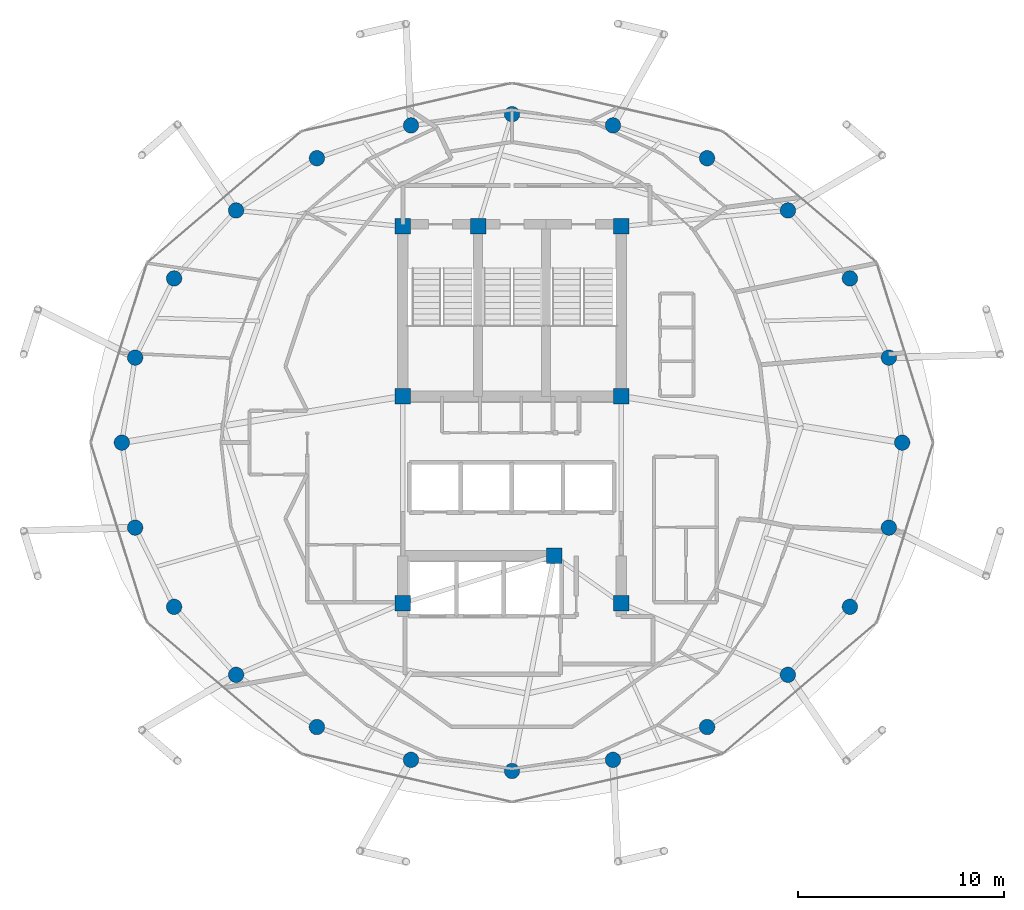
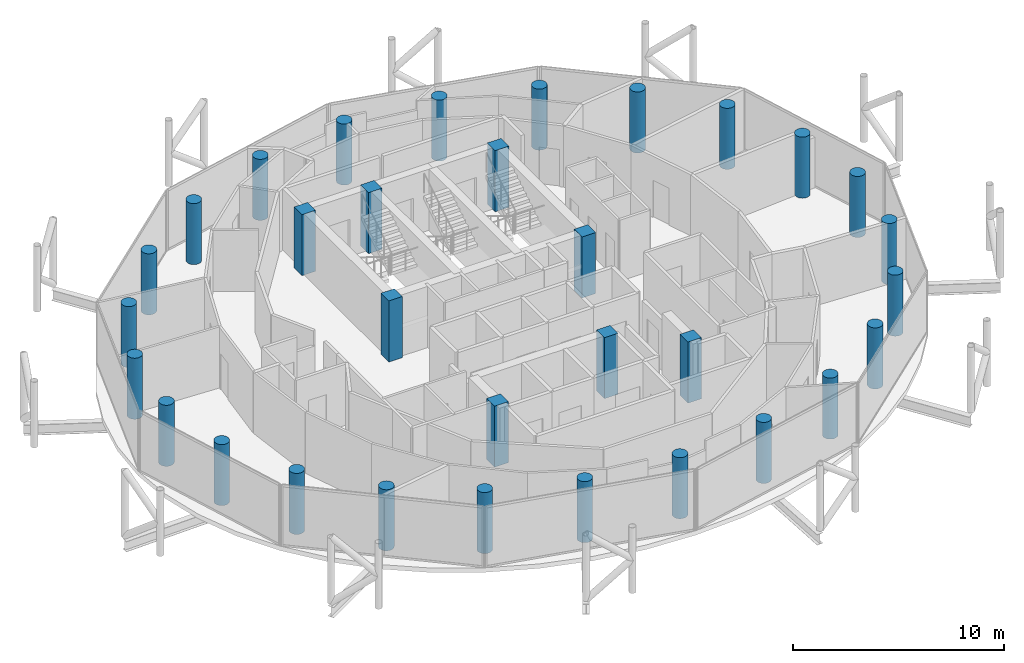
# One storey, part 1 of 24: 32 columns.
"""IFC4 building model written with IfcOpenShell, lengths in metres."""

from ifc_helpers import new_model, si_unit, direction, frame, origin, origin_2d, place, context, subcontext, project, spatial, rectangle, circle, extrude, material, material_profile, profile_set, type_object, element, save


model = new_model("IFC4")

# Units and contexts
model_context = context("Model", 3, precision=1e-05, world=origin(), true_north=direction((0.0, 1.0)))
body_context = subcontext(model_context, "Body", "Model", "MODEL_VIEW")
ifc_project = project(units=[si_unit("LENGTHUNIT", "METRE"), si_unit("AREAUNIT", "SQUARE_METRE"), si_unit("VOLUMEUNIT", "CUBIC_METRE"), si_unit("PLANEANGLEUNIT", "RADIAN"), si_unit("MASSUNIT", "GRAM", prefix="KILO")], contexts=[model_context])

# Site, building, storey
site_placement = place(None, origin())
site = spatial("IfcSite", under=ifc_project, at=site_placement, CompositionType="ELEMENT")
building_placement = place(site_placement, origin())
building = spatial("IfcBuilding", under=site, at=building_placement, Name="Nuhasar Tower", CompositionType="ELEMENT")
storey_placement = place(building_placement, frame((0.0, 0.0, 263.199951171875)))
storey = spatial("IfcBuildingStorey", under=building, at=storey_placement, Name="L65", CompositionType="ELEMENT", Elevation=263.199951171875)

# Columns
ifc_material = material(Name="Concrete C50/60", Category="concrete")
ifc_material_profile_1 = material_profile(ifc_material, circle(Radius=0.375, at=origin_2d()), Name="CFT750")
ifc_profile_set_1 = profile_set([ifc_material_profile_1], Name="Concrete C50/60")
column_type_1 = type_object("IfcColumnType", Name="COL-CFT-750", PredefinedType="COLUMN", material=ifc_profile_set_1)
for number, where, z_axis, x_axis, name in (
    (1, (57.949951171875, 26.800048828125, 0.0), (0.0, 0.0, 1.0), (1.0, 0.0, 0.0), "L65 Perimeter Composite Column TC-01"),
    (2, (57.303955078125, 30.927978515625, 0.0), (0.0, 0.0, 1.0), (1.0, 0.0, 0.0), "L65 Perimeter Composite Column TC-02"),
    (3, (55.410888671875, 34.77490234375, 0.0), (0.0, 0.0, 1.0), (1.0, 0.0, 0.0), "L65 Perimeter Composite Column TC-03"),
    (4, (52.39990234375, 38.077880859375, 0.0), (0.0, 0.0, 1.0), (1.0, 0.0, 0.0), "L65 Perimeter Composite Column TC-04"),
    (5, (48.47509765625, 40.613037109375, 0.0), (0.0, 0.0, 1.0), (1.0, 0.0, 0.0), "L65 Perimeter Composite Column TC-05"),
    (6, (43.905029296875, 42.20703125, 0.0), (0.0, 0.0, 1.0), (1.0, 0.0, 0.0), "L65 Perimeter Composite Column TC-06"),
    (7, (39.0, 42.75, 0.0), (0.0, 0.0, 1.0), (1.0, 0.0, 0.0), "L65 Perimeter Composite Column TC-07"),
    (8, (34.094970703125, 42.20703125, 0.0), (0.0, 0.0, 1.0), (1.0, 0.0, 0.0), "L65 Perimeter Composite Column TC-08"),
    (9, (29.52490234375, 40.613037109375, 0.0), (0.0, 0.0, 1.0), (1.0, 0.0, 0.0), "L65 Perimeter Composite Column TC-09"),
    (10, (25.60009765625, 38.077880859375, 0.0), (0.0, 0.0, 1.0), (1.0, 0.0, 0.0), "L65 Perimeter Composite Column TC-10"),
    (11, (22.589111328125, 34.77490234375, 0.0), (0.0, 0.0, 1.0), (1.0, 0.0, 0.0), "L65 Perimeter Composite Column TC-11"),
    (12, (20.696044921875, 30.927978515625, 0.0), (0.0, 0.0, 1.0), (1.0, 0.0, 0.0), "L65 Perimeter Composite Column TC-12"),
    (13, (20.050048828125, 26.800048828125, 0.0), (0.0, 0.0, 1.0), (1.0, 0.0, 0.0), "L65 Perimeter Composite Column TC-13"),
    (14, (20.696044921875, 22.672119140625, 0.0), (0.0, 0.0, 1.0), (1.0, 0.0, 0.0), "L65 Perimeter Composite Column TC-14"),
    (15, (22.589111328125, 18.824951171875, 0.0), (0.0, 0.0, 1.0), (1.0, 0.0, 0.0), "L65 Perimeter Composite Column TC-15"),
    (16, (25.60009765625, 15.52197265625, 0.0), (0.0, 0.0, 1.0), (1.0, 0.0, 0.0), "L65 Perimeter Composite Column TC-16"),
    (17, (29.52490234375, 12.987060546875, 0.0), (0.0, 0.0, 1.0), (1.0, 0.0, 0.0), "L65 Perimeter Composite Column TC-17"),
    (18, (34.094970703125, 11.39306640625, 0.0), (0.0, 0.0, 1.0), (1.0, 0.0, 0.0), "L65 Perimeter Composite Column TC-18"),
    (19, (39.0, 10.85009765625, 0.0), (0.0, 0.0, 1.0), (1.0, 0.0, 0.0), "L65 Perimeter Composite Column TC-19"),
    (20, (43.905029296875, 11.39306640625, 0.0), (0.0, 0.0, 1.0), (1.0, 0.0, 0.0), "L65 Perimeter Composite Column TC-20"),
    (21, (48.47509765625, 12.987060546875, 0.0), (0.0, 0.0, 1.0), (1.0, 0.0, 0.0), "L65 Perimeter Composite Column TC-21"),
    (22, (52.39990234375, 15.52197265625, 0.0), (0.0, 0.0, 1.0), (1.0, 0.0, 0.0), "L65 Perimeter Composite Column TC-22"),
    (23, (55.410888671875, 18.824951171875, 0.0), (0.0, 0.0, 1.0), (1.0, 0.0, 0.0), "L65 Perimeter Composite Column TC-23"),
    (24, (57.303955078125, 22.672119140625, 0.0), (0.0, 0.0, 1.0), (1.0, 0.0, 0.0), "L65 Perimeter Composite Column TC-24"),
):
    element("IfcColumn", number, at=place(storey_placement, frame(where, z_axis=z_axis, x_axis=x_axis)), inside=storey, type_object=column_type_1, Name=name, PredefinedType="COLUMN", context=body_context, shape_type="SweptSolid", body=[
        extrude(circle(Radius=0.375, at=origin_2d()), origin(), (0.0, 0.0, 1.0), 3.5400390625),
    ])
ifc_material_profile_2 = material_profile(ifc_material, rectangle(XDim=0.75, YDim=0.75, at=origin_2d()), Name="RC750X750")
ifc_profile_set_2 = profile_set([ifc_material_profile_2], Name="Concrete C50/60")
column_type_2 = type_object("IfcColumnType", Name="PIL-RC-750", PredefinedType="PILASTER", material=ifc_profile_set_2)
for number, where, z_axis, x_axis, name in (
    (25, (33.699951171875, 19.0, 0.0), (0.0, 0.0, 1.0), (1.0, 0.0, 0.0), "L65 Core Boundary Pilaster CC-01"),
    (26, (41.050048828125, 21.300048828125, 0.0), (0.0, 0.0, 1.0), (1.0, 0.0, 0.0), "L65 Core Boundary Pilaster CC-02"),
    (27, (44.300048828125, 19.0, 0.0), (0.0, 0.0, 1.0), (1.0, 0.0, 0.0), "L65 Core Boundary Pilaster CC-03"),
    (28, (44.300048828125, 29.050048828125, 0.0), (0.0, 0.0, 1.0), (1.0, 0.0, 0.0), "L65 Core Boundary Pilaster CC-04"),
    (29, (44.300048828125, 37.300048828125, 0.0), (0.0, 0.0, 1.0), (1.0, 0.0, 0.0), "L65 Core Boundary Pilaster CC-05"),
    (30, (37.35009765625, 37.300048828125, 0.0), (0.0, 0.0, 1.0), (1.0, 0.0, 0.0), "L65 Core Boundary Pilaster CC-06"),
    (31, (33.699951171875, 37.300048828125, 0.0), (0.0, 0.0, 1.0), (1.0, 0.0, 0.0), "L65 Core Boundary Pilaster CC-07"),
    (32, (33.699951171875, 29.050048828125, 0.0), (0.0, 0.0, 1.0), (1.0, 0.0, 0.0), "L65 Core Boundary Pilaster CC-08"),
):
    element("IfcColumn", number, at=place(storey_placement, frame(where, z_axis=z_axis, x_axis=x_axis)), inside=storey, type_object=column_type_2, Name=name, PredefinedType="PILASTER", context=body_context, shape_type="SweptSolid", body=[
        extrude(rectangle(XDim=0.75, YDim=0.75, at=origin_2d()), origin(), (0.0, 0.0, 1.0), 3.5400390625),
    ])

save(model, "model.ifc")
